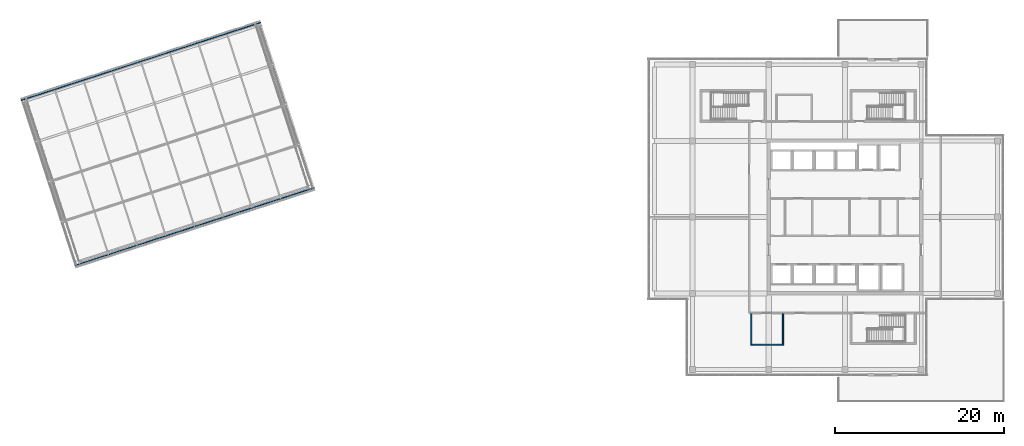
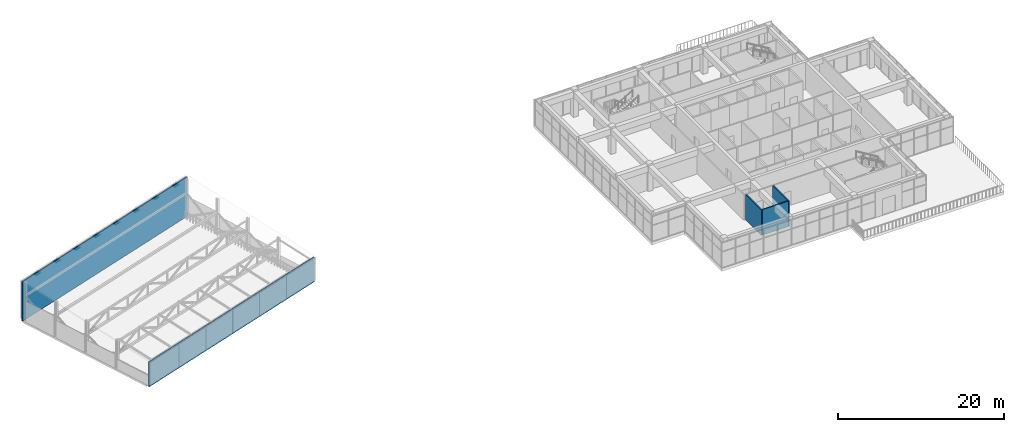
# One storey, part 43 of 49: 5 walls.
"""IFC4 building model written with IfcOpenShell, lengths in metres."""

from ifc_helpers import new_model, si_unit, direction, frame, frame_2d, origin, place, context, subcontext, project, spatial, rectangle, extrude, material, layer, layer_set, type_object, element, save


model = new_model("IFC4")

# Units and contexts
model_context = context("Model", 3, precision=1e-05, world=origin(), true_north=direction((0.0, 1.0)))
body_context = subcontext(model_context, "Body", "Model", "MODEL_VIEW")
ifc_project = project(units=[si_unit("LENGTHUNIT", "METRE"), si_unit("AREAUNIT", "SQUARE_METRE"), si_unit("VOLUMEUNIT", "CUBIC_METRE"), si_unit("PLANEANGLEUNIT", "RADIAN"), si_unit("MASSUNIT", "GRAM", prefix="KILO")], contexts=[model_context])

# Site, building, storey
site_placement = place(None, origin())
site = spatial("IfcSite", under=ifc_project, at=site_placement, CompositionType="ELEMENT")
building_placement = place(site_placement, origin())
building = spatial("IfcBuilding", under=site, at=building_placement, Name="Tuart Plaza Theatre", CompositionType="ELEMENT")
storey_placement = place(building_placement, frame((0.0, 0.0, 29.5)))
storey = spatial("IfcBuildingStorey", under=building, at=storey_placement, Name="L07", CompositionType="ELEMENT", Elevation=29.5)

# Walls
ifc_material_1 = material(Name="Masonry block", Category="masonry")
ifc_layer_1 = layer(ifc_material_1, 0.14990234375)
ifc_layer_set_1 = layer_set([ifc_layer_1], Name="PARTITION BLK150 MASONRYB FRL 120/-/-")
wall_type_1 = type_object("IfcWallType", Name="PARTITION BLK150 MASONRYB FRL 120/-/-", PredefinedType="PARTITIONING", material=ifc_layer_set_1)
wall_1_placement = place(storey_placement, frame((121.0, 58.949951171875, 0.0), z_axis=(0.0, 0.0, 1.0), x_axis=(1.0, 0.0, 0.0)))
element("IfcWall", 1, at=wall_1_placement, inside=storey, type_object=wall_type_1, Name="P660", PredefinedType="PARTITIONING", context=body_context, shape_type="SweptSolid", body=[
    extrude(rectangle(XDim=3.60009765625, YDim=0.14990234375, at=frame_2d((1.800048828125, 0.0))), origin(), (0.0, 0.0, 1.0), 3.75),
])
for number, where, z_axis, x_axis, name in (
    (2, (120.925048828125, 62.625, 0.0), (0.0, 0.0, 1.0), (0.0, -1.0, 0.0), "P661"),
    (3, (124.675048828125, 62.625, 0.0), (0.0, 0.0, 1.0), (0.0, -1.0, 0.0), "P662"),
):
    element("IfcWall", number, at=place(storey_placement, frame(where, z_axis=z_axis, x_axis=x_axis)), inside=storey, type_object=wall_type_1, Name=name, PredefinedType="PARTITIONING", context=body_context, shape_type="SweptSolid", body=[
        extrude(rectangle(XDim=3.75, YDim=0.14990234375, at=frame_2d((1.875, 0.0))), origin(), (0.0, 0.0, 1.0), 3.75),
    ])
ifc_material_2 = material(Name="Zinc")
ifc_layer_2 = layer(ifc_material_2, 0.139892578125)
ifc_layer_set_2 = layer_set([ifc_layer_2], Name="WALL ZIN140 ZINC EXT")
wall_type_2 = type_object("IfcWallType", Name="WALL ZIN140 ZINC EXT", PredefinedType="SOLIDWALL", material=ifc_layer_set_2)
wall_2_placement = place(storey_placement, frame((41.083740234375, 68.260009765625, 0.0), z_axis=(0.0, 0.0, 1.0), x_axis=(0.951057118925, 0.309015139665, 0.0)))
element("IfcWall", 4, at=wall_2_placement, inside=storey, type_object=wall_type_2, Name="P24", PredefinedType="SOLIDWALL", context=body_context, shape_type="SweptSolid", body=[
    extrude(rectangle(XDim=29.72998046875, YDim=0.139892578125, at=frame_2d((14.864990234375, 0.0))), origin(), (0.0, 0.0, 1.0), 3.6630859375),
])
wall_3_placement = place(storey_placement, frame((34.72900390625, 87.818603515625, 0.0), z_axis=(0.0, 0.0, 1.0), x_axis=(0.951057118925, 0.309015139665, 0.0)))
element("IfcWall", 5, at=wall_3_placement, inside=storey, type_object=wall_type_2, Name="P25", PredefinedType="SOLIDWALL", context=body_context, shape_type="SweptSolid", body=[
    extrude(rectangle(XDim=29.72998046875, YDim=0.139892578125, at=frame_2d((14.864990234375, 0.0))), origin(), (0.0, 0.0, 1.0), 5.824462890625),
])

save(model, "model.ifc")
